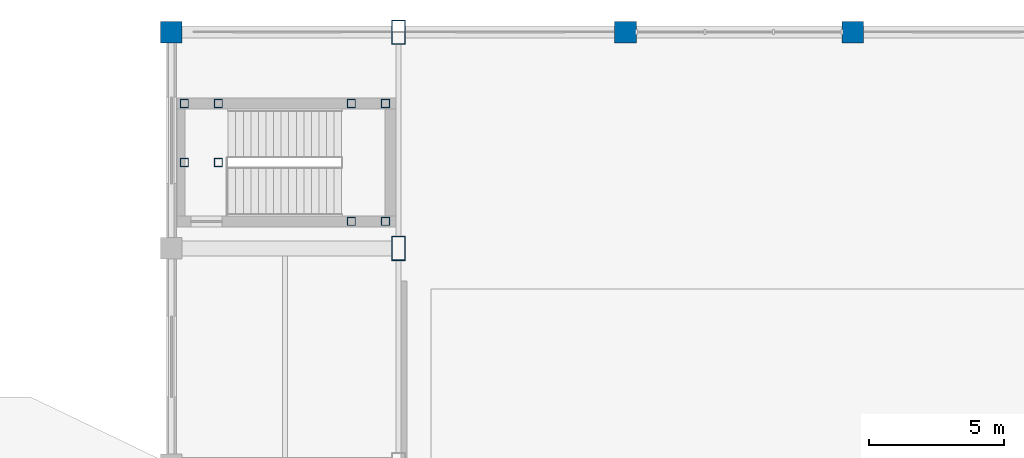
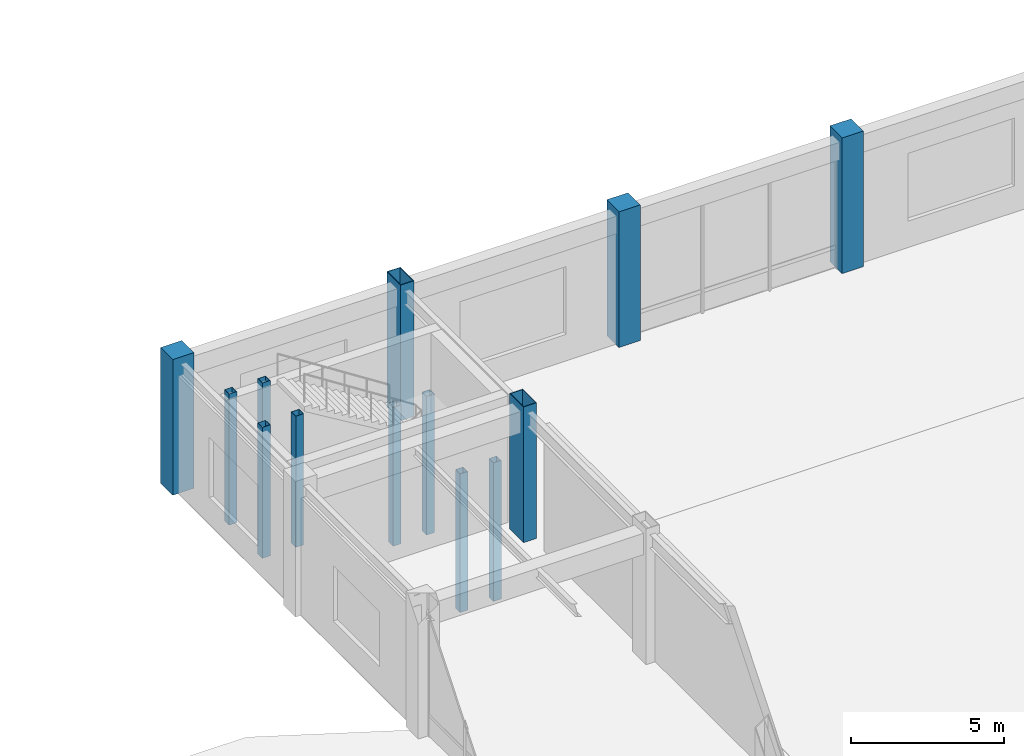
# One storey, part 13 of 79: 13 columns.
"""IFC4 building model written with IfcOpenShell, lengths in metres."""

from ifc_helpers import new_model, si_unit, direction, frame, origin, origin_2d, place, context, subcontext, project, spatial, rectangle, hollow_rectangle, extrude, material, material_profile, profile_set, type_object, element, save


model = new_model("IFC4")

# Units and contexts
model_context = context("Model", 3, precision=1e-05, world=origin(), true_north=direction((0.0, 1.0)))
body_context = subcontext(model_context, "Body", "Model", "MODEL_VIEW")
ifc_project = project(units=[si_unit("LENGTHUNIT", "METRE"), si_unit("AREAUNIT", "SQUARE_METRE"), si_unit("VOLUMEUNIT", "CUBIC_METRE"), si_unit("PLANEANGLEUNIT", "RADIAN"), si_unit("MASSUNIT", "GRAM", prefix="KILO")], contexts=[model_context])

# Site, building, storey
site_placement = place(None, origin())
site = spatial("IfcSite", under=ifc_project, at=site_placement, CompositionType="ELEMENT")
building_placement = place(site_placement, origin())
building = spatial("IfcBuilding", under=site, at=building_placement, Name="Naruveol Harbour Congress Hotel", CompositionType="ELEMENT")
storey_placement = place(building_placement, frame((0.0, 0.0, 6.0)))
storey = spatial("IfcBuildingStorey", under=building, at=storey_placement, Name="L01", CompositionType="ELEMENT", Elevation=6.0)

# Columns
ifc_material_1 = material(Name="Concrete C50/60", Category="concrete")
ifc_material_profile_1 = material_profile(ifc_material_1, rectangle(XDim=0.800048828125, YDim=0.800048828125, at=origin_2d()), Name="RC-800x800")
ifc_profile_set_1 = profile_set([ifc_material_profile_1], Name="Concrete C50/60")
column_type_1 = type_object("IfcColumnType", Name="RC PODIUM COLUMN 800X800", PredefinedType="COLUMN", material=ifc_profile_set_1)
for number, where, z_axis, x_axis, name in (
    (1, (67.199951171875, 112.0, 0.0), (0.0, 0.0, 1.0), (1.0, 0.0, 0.0), "Column C-800 L01 (67.2,112.0)"),
    (2, (84.0, 112.0, 0.0), (0.0, 0.0, 1.0), (1.0, 0.0, 0.0), "Column C-800 L01 (84.0,112.0)"),
    (3, (92.39990234375, 112.0, 0.0), (0.0, 0.0, 1.0), (1.0, 0.0, 0.0), "Column C-800 L01 (92.4,112.0)"),
):
    element("IfcColumn", number, at=place(storey_placement, frame(where, z_axis=z_axis, x_axis=x_axis)), inside=storey, type_object=column_type_1, Name=name, PredefinedType="COLUMN", context=body_context, shape_type="SweptSolid", body=[
        extrude(rectangle(XDim=0.800048828125, YDim=0.800048828125, at=origin_2d()), origin(), (0.0, 0.0, 1.0), 5.39990234375),
    ])
ifc_material_2 = material(Name="Steel SN490", Category="steel")
ifc_material_profile_2 = material_profile(ifc_material_2, hollow_rectangle(XDim=0.300048828125, YDim=0.300048828125, WallThickness=0.011962890625, at=origin_2d()), Name="SHS-300x300x12")
ifc_profile_set_2 = profile_set([ifc_material_profile_2], Name="Steel SN490")
column_type_2 = type_object("IfcColumnType", Name="STEEL COLONNADE POST SHS300", PredefinedType="COLUMN", material=ifc_profile_set_2)
for number, where, z_axis, x_axis, name in (
    (4, (67.679931640625, 107.179931640625, 0.0), (0.0, 0.0, 1.0), (1.0, 0.0, 0.0), "Stair landing support post ST8W #403"),
    (5, (67.679931640625, 109.360107421875, 0.0), (0.0, 0.0, 1.0), (1.0, 0.0, 0.0), "Stair landing support post ST8W #406"),
    (6, (68.93994140625, 107.179931640625, 0.0), (0.0, 0.0, 1.0), (1.0, 0.0, 0.0), "Stair landing support post ST8W #409"),
    (7, (68.93994140625, 109.360107421875, 0.0), (0.0, 0.0, 1.0), (1.0, 0.0, 0.0), "Stair landing support post ST8W #412"),
):
    element("IfcColumn", number, at=place(storey_placement, frame(where, z_axis=z_axis, x_axis=x_axis)), inside=storey, type_object=column_type_2, Name=name, PredefinedType="COLUMN", context=body_context, shape_type="SweptSolid", body=[
        extrude(hollow_rectangle(XDim=0.300048828125, YDim=0.300048828125, WallThickness=0.011962890625, at=origin_2d()), origin(), (0.0, 0.0, 1.0), 5.219970703125),
    ])
for number, where, z_axis, x_axis, name in (
    (8, (73.860107421875, 105.0, -3.0), (0.0, 0.0, 1.0), (1.0, 0.0, 0.0), "Stair landing support post ST8E #415"),
    (9, (73.860107421875, 109.360107421875, -3.0), (0.0, 0.0, 1.0), (1.0, 0.0, 0.0), "Stair landing support post ST8E #418"),
    (10, (75.1201171875, 105.0, -3.0), (0.0, 0.0, 1.0), (1.0, 0.0, 0.0), "Stair landing support post ST8E #421"),
    (11, (75.1201171875, 109.360107421875, -3.0), (0.0, 0.0, 1.0), (1.0, 0.0, 0.0), "Stair landing support post ST8E #424"),
):
    element("IfcColumn", number, at=place(storey_placement, frame(where, z_axis=z_axis, x_axis=x_axis)), inside=storey, type_object=column_type_2, Name=name, PredefinedType="COLUMN", context=body_context, shape_type="SweptSolid", body=[
        extrude(hollow_rectangle(XDim=0.300048828125, YDim=0.300048828125, WallThickness=0.011962890625, at=origin_2d()), origin(), (0.0, 0.0, 1.0), 5.52001953125),
    ])
ifc_material_3 = material(Name="Steel SN490", Category="steel")
ifc_material_profile_3 = material_profile(ifc_material_3, hollow_rectangle(XDim=0.5, YDim=0.89990234375, WallThickness=0.02392578125, at=origin_2d()), Name="RHS-900x500x24")
ifc_profile_set_3 = profile_set([ifc_material_profile_3], Name="Steel SN490")
column_type_3 = type_object("IfcColumnType", Name="STEEL HALL COLUMN H900X300", PredefinedType="COLUMN", material=ifc_profile_set_3)
for number, where, z_axis, x_axis, name in (
    (12, (75.60009765625, 104.0, 0.0), (0.0, 0.0, 1.0), (1.0, 0.0, 0.0), "Column SC-H900 L01 (75.6,104.0)"),
    (13, (75.60009765625, 112.0, 0.0), (0.0, 0.0, 1.0), (1.0, 0.0, 0.0), "Column SC-H900 L01 (75.6,112.0)"),
):
    element("IfcColumn", number, at=place(storey_placement, frame(where, z_axis=z_axis, x_axis=x_axis)), inside=storey, type_object=column_type_3, Name=name, PredefinedType="COLUMN", context=body_context, shape_type="SweptSolid", body=[
        extrude(hollow_rectangle(XDim=0.5, YDim=0.89990234375, WallThickness=0.02392578125, at=origin_2d()), origin(), (0.0, 0.0, 1.0), 5.39990234375),
    ])

save(model, "model.ifc")
